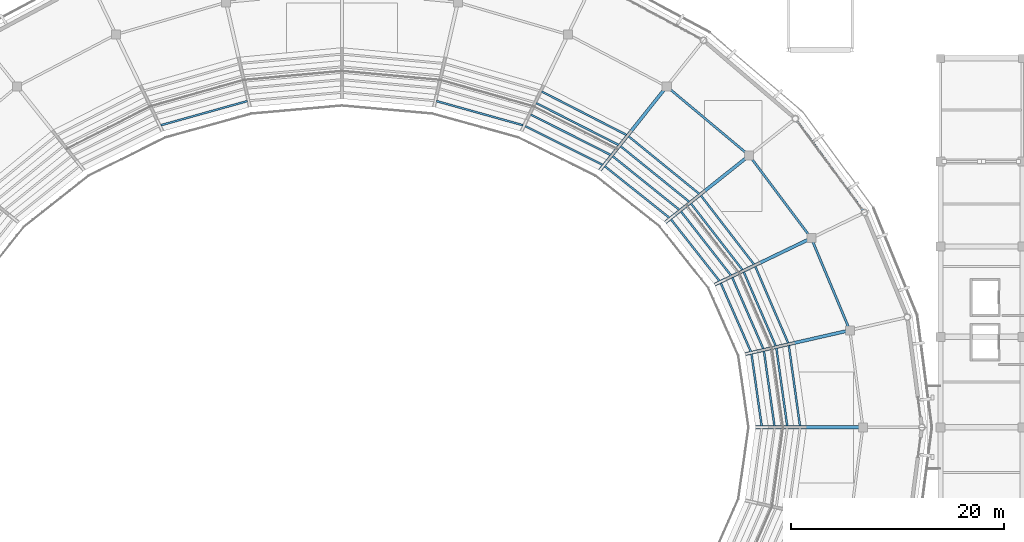
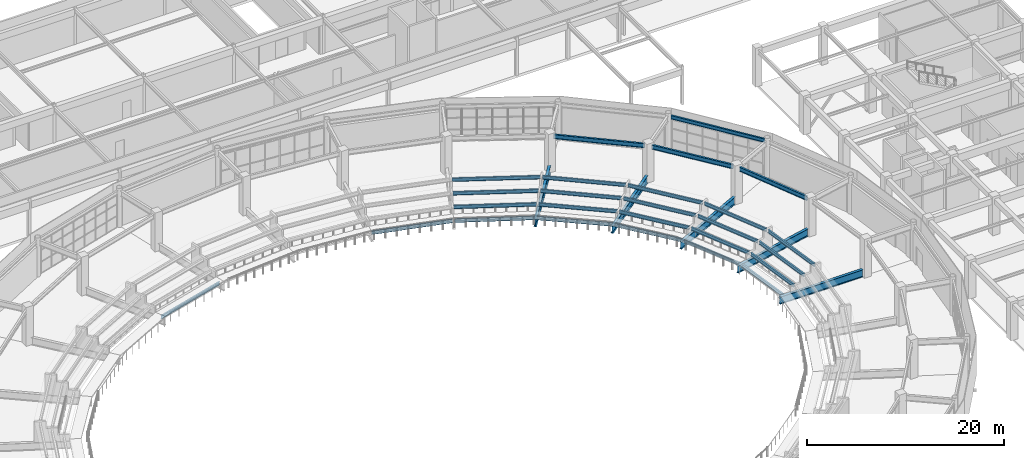
# One storey, part 55 of 122: 31 beams.
"""IFC4 building model written with IfcOpenShell, lengths in metres."""

from ifc_helpers import new_model, si_unit, direction, frame, origin, origin_2d, place, context, subcontext, project, spatial, i_section, extrude, material, material_profile, profile_set, type_object, element, save


model = new_model("IFC4")

# Units and contexts
model_context = context("Model", 3, precision=1e-05, world=origin(), true_north=direction((0.0, 1.0)))
body_context = subcontext(model_context, "Body", "Model", "MODEL_VIEW")
ifc_project = project(units=[si_unit("LENGTHUNIT", "METRE"), si_unit("AREAUNIT", "SQUARE_METRE"), si_unit("VOLUMEUNIT", "CUBIC_METRE"), si_unit("PLANEANGLEUNIT", "RADIAN"), si_unit("MASSUNIT", "GRAM", prefix="KILO")], contexts=[model_context])

# Site, building, storey
site_placement = place(None, origin())
site = spatial("IfcSite", under=ifc_project, at=site_placement, CompositionType="ELEMENT")
building_placement = place(site_placement, origin())
building = spatial("IfcBuilding", under=site, at=building_placement, Name="Cuetzalor Civic Arena", CompositionType="ELEMENT")
storey_placement = place(building_placement, frame((0.0, 0.0, 16.199951171875)))
storey = spatial("IfcBuildingStorey", under=building, at=storey_placement, Name="L03", CompositionType="ELEMENT", Elevation=16.199951171875)

# Beams
ifc_material_1 = material(Name="Steel S355", Category="steel")
ifc_material_profile_1 = material_profile(ifc_material_1, i_section(OverallWidth=0.18994140625, OverallDepth=0.45703125, WebThickness=0.009033203125, FlangeThickness=0.014404296875, at=origin_2d()), Name="W460x74")
ifc_profile_set_1 = profile_set([ifc_material_profile_1], Name="Steel S355")
beam_type_1 = type_object("IfcBeamType", Name="FacadeSpandrelBeam_W460", PredefinedType="SPANDREL", material=ifc_profile_set_1)
beam_1_placement = place(storey_placement, frame((48.975830078125, 20.430908203125, 4.29150390625), z_axis=(-0.592928645702, 0.805255003776, 0.0), x_axis=(-0.805255003776, -0.592928645702, 0.0)))
element("IfcBeam", 1, at=beam_1_placement, inside=storey, type_object=beam_type_1, Name="Drum Perimeter Spandrel L03-S03", PredefinedType="SPANDREL", context=body_context, shape_type="SweptSolid", body=[
    extrude(i_section(OverallWidth=0.18994140625, OverallDepth=0.45703125, WebThickness=0.009033203125, FlangeThickness=0.014404296875, at=origin_2d()), origin(), (0.0, 0.0, 1.0), 10.380615234375),
])
ifc_material_2 = material(Name="Steel S355", Category="steel")
ifc_material_profile_2 = material_profile(ifc_material_2, i_section(OverallWidth=0.208984375, OverallDepth=0.532958984375, WebThickness=0.01025390625, FlangeThickness=0.015625, at=origin_2d()), Name="W530x92")
ifc_profile_set_2 = profile_set([ifc_material_profile_2], Name="Steel S355")
beam_type_2 = type_object("IfcBeamType", Name="SteelCollarGirder_W530", PredefinedType="BEAM", material=ifc_profile_set_2)
beam_2_placement = place(storey_placement, frame((47.628662109375, 9.46484375, 4.253662109375), z_axis=(-0.385813116722, 0.922576955579, 0.0), x_axis=(-0.922576955579, -0.385813116722, 0.0)))
element("IfcBeam", 2, at=beam_2_placement, inside=storey, type_object=beam_type_2, Name="Drum Concourse Ring Girder L03-S02", PredefinedType="BEAM", context=body_context, shape_type="SweptSolid", body=[
    extrude(i_section(OverallWidth=0.208984375, OverallDepth=0.532958984375, WebThickness=0.01025390625, FlangeThickness=0.015625, at=origin_2d()), origin(), (0.0, 0.0, 1.0), 8.65283203125),
])
beam_3_placement = place(storey_placement, frame((43.92529296875, 18.085205078125, 4.253662109375), z_axis=(-0.600491348624, 0.799631252658, 0.0), x_axis=(-0.799631252658, -0.600491348624, 0.0)))
element("IfcBeam", 3, at=beam_3_placement, inside=storey, type_object=beam_type_2, Name="Drum Concourse Ring Girder L03-S03", PredefinedType="BEAM", context=body_context, shape_type="SweptSolid", body=[
    extrude(i_section(OverallWidth=0.208984375, OverallDepth=0.532958984375, WebThickness=0.01025390625, FlangeThickness=0.015625, at=origin_2d()), origin(), (0.0, 0.0, 1.0), 8.9814453125),
])
beam_4_placement = place(storey_placement, frame((38.02587890625, 25.800537109375, 4.253662109375), z_axis=(-0.766937066427, 0.641722320121, 0.0), x_axis=(-0.641722320121, -0.766937066427, 0.0)))
element("IfcBeam", 4, at=beam_4_placement, inside=storey, type_object=beam_type_2, Name="Drum Concourse Ring Girder L03-S04", PredefinedType="BEAM", context=body_context, shape_type="SweptSolid", body=[
    extrude(i_section(OverallWidth=0.208984375, OverallDepth=0.532958984375, WebThickness=0.01025390625, FlangeThickness=0.015625, at=origin_2d()), origin(), (0.0, 0.0, 1.0), 9.37646484375),
])
ifc_material_3 = material(Name="Steel S355", Category="steel")
ifc_material_profile_3 = material_profile(ifc_material_3, i_section(OverallWidth=0.177978515625, OverallDepth=0.406982421875, WebThickness=0.0078125, FlangeThickness=0.0126953125, at=origin_2d()), Name="W410x60")
ifc_profile_set_3 = profile_set([ifc_material_profile_3], Name="Steel S355")
beam_type_3 = type_object("IfcBeamType", Name="SteelSecondaryBeam_W410", PredefinedType="BEAM", material=ifc_profile_set_3)
beam_5_placement = place(storey_placement, frame((39.48486328125, 0.10693359375, 0.70751953125), z_axis=(-0.139872342407, 0.990169544992, 0.0), x_axis=(-0.990169544992, -0.139872342407, 0.0)))
element("IfcBeam", 5, at=beam_5_placement, inside=storey, type_object=beam_type_3, Name="Upper Bowl Tier Carrier Beam S01-R1", PredefinedType="BEAM", context=body_context, shape_type="SweptSolid", body=[
    extrude(i_section(OverallWidth=0.177978515625, OverallDepth=0.406982421875, WebThickness=0.0078125, FlangeThickness=0.0126953125, at=origin_2d()), origin(), (0.0, 0.0, 1.0), 6.863037109375),
])
beam_6_placement = place(storey_placement, frame((40.68505859375, 0.10693359375, 1.551513671875), z_axis=(-0.138885554946, 0.990308438128, 0.0), x_axis=(-0.990308438128, -0.138885554946, 0.0)))
element("IfcBeam", 6, at=beam_6_placement, inside=storey, type_object=beam_type_3, Name="Upper Bowl Tier Carrier Beam S01-R2", PredefinedType="BEAM", context=body_context, shape_type="SweptSolid", body=[
    extrude(i_section(OverallWidth=0.177978515625, OverallDepth=0.406982421875, WebThickness=0.0078125, FlangeThickness=0.0126953125, at=origin_2d()), origin(), (0.0, 0.0, 1.0), 7.131591796875),
])
beam_7_placement = place(storey_placement, frame((41.885009765625, 0.10693359375, 2.401611328125), z_axis=(-0.137901017398, 0.990446015389, 0.0), x_axis=(-0.990446015389, -0.137901017398, 0.0)))
element("IfcBeam", 7, at=beam_7_placement, inside=storey, type_object=beam_type_3, Name="Upper Bowl Tier Carrier Beam S01-R3", PredefinedType="BEAM", context=body_context, shape_type="SweptSolid", body=[
    extrude(i_section(OverallWidth=0.177978515625, OverallDepth=0.406982421875, WebThickness=0.0078125, FlangeThickness=0.0126953125, at=origin_2d()), origin(), (0.0, 0.0, 1.0), 7.400390625),
])
beam_8_placement = place(storey_placement, frame((43.085205078125, 0.10693359375, 3.25146484375), z_axis=(-0.13704781732, 0.990564432921, 0.0), x_axis=(-0.990564432921, -0.13704781732, 0.0)))
element("IfcBeam", 8, at=beam_8_placement, inside=storey, type_object=beam_type_3, Name="Upper Bowl Tier Carrier Beam S01-R4", PredefinedType="BEAM", context=body_context, shape_type="SweptSolid", body=[
    extrude(i_section(OverallWidth=0.177978515625, OverallDepth=0.406982421875, WebThickness=0.0078125, FlangeThickness=0.0126953125, at=origin_2d()), origin(), (0.0, 0.0, 1.0), 7.6689453125),
])
beam_9_placement = place(storey_placement, frame((38.46630859375, 7.1083984375, 0.70751953125), z_axis=(-0.401827995853, 0.915715164092, 0.0), x_axis=(-0.915715164092, -0.401827995853, 0.0)))
element("IfcBeam", 9, at=beam_9_placement, inside=storey, type_object=beam_type_3, Name="Upper Bowl Tier Carrier Beam S02-R1", PredefinedType="BEAM", context=body_context, shape_type="SweptSolid", body=[
    extrude(i_section(OverallWidth=0.177978515625, OverallDepth=0.406982421875, WebThickness=0.0078125, FlangeThickness=0.0126953125, at=origin_2d()), origin(), (0.0, 0.0, 1.0), 7.054443359375),
])
beam_10_placement = place(storey_placement, frame((39.636474609375, 7.37548828125, 1.551513671875), z_axis=(-0.399312420553, 0.916814916323, 0.0), x_axis=(-0.916814916323, -0.399312420553, 0.0)))
element("IfcBeam", 10, at=beam_10_placement, inside=storey, type_object=beam_type_3, Name="Upper Bowl Tier Carrier Beam S02-R2", PredefinedType="BEAM", context=body_context, shape_type="SweptSolid", body=[
    extrude(i_section(OverallWidth=0.177978515625, OverallDepth=0.406982421875, WebThickness=0.0078125, FlangeThickness=0.0126953125, at=origin_2d()), origin(), (0.0, 0.0, 1.0), 7.32275390625),
])
beam_11_placement = place(storey_placement, frame((40.806640625, 7.642578125, 2.401611328125), z_axis=(-0.396956554552, 0.917837400523, 0.0), x_axis=(-0.917837400523, -0.396956554552, 0.0)))
element("IfcBeam", 11, at=beam_11_placement, inside=storey, type_object=beam_type_3, Name="Upper Bowl Tier Carrier Beam S02-R3", PredefinedType="BEAM", context=body_context, shape_type="SweptSolid", body=[
    extrude(i_section(OverallWidth=0.177978515625, OverallDepth=0.406982421875, WebThickness=0.0078125, FlangeThickness=0.0126953125, at=origin_2d()), origin(), (0.0, 0.0, 1.0), 7.5908203125),
])
beam_12_placement = place(storey_placement, frame((41.976806640625, 7.90966796875, 3.25146484375), z_axis=(-0.394758994464, 0.918784706169, 0.0), x_axis=(-0.918784706169, -0.394758994464, 0.0)))
element("IfcBeam", 12, at=beam_12_placement, inside=storey, type_object=beam_type_3, Name="Upper Bowl Tier Carrier Beam S02-R4", PredefinedType="BEAM", context=body_context, shape_type="SweptSolid", body=[
    extrude(i_section(OverallWidth=0.177978515625, OverallDepth=0.406982421875, WebThickness=0.0078125, FlangeThickness=0.0126953125, at=origin_2d()), origin(), (0.0, 0.0, 1.0), 7.858642578125),
])
beam_13_placement = place(storey_placement, frame((35.521484375, 13.752197265625, 0.70751953125), z_axis=(-0.618890762306, 0.785477067986, 0.0), x_axis=(-0.785477067986, -0.618890762306, 0.0)))
element("IfcBeam", 13, at=beam_13_placement, inside=storey, type_object=beam_type_3, Name="Upper Bowl Tier Carrier Beam S03-R1", PredefinedType="BEAM", context=body_context, shape_type="SweptSolid", body=[
    extrude(i_section(OverallWidth=0.177978515625, OverallDepth=0.406982421875, WebThickness=0.0078125, FlangeThickness=0.0126953125, at=origin_2d()), origin(), (0.0, 0.0, 1.0), 7.387939453125),
])
beam_14_placement = place(storey_placement, frame((36.602783203125, 14.273193359375, 1.551513671875), z_axis=(-0.61605368018, 0.787704172349, 0.0), x_axis=(-0.787704172349, -0.61605368018, 0.0)))
element("IfcBeam", 14, at=beam_14_placement, inside=storey, type_object=beam_type_3, Name="Upper Bowl Tier Carrier Beam S03-R2", PredefinedType="BEAM", context=body_context, shape_type="SweptSolid", body=[
    extrude(i_section(OverallWidth=0.177978515625, OverallDepth=0.406982421875, WebThickness=0.0078125, FlangeThickness=0.0126953125, at=origin_2d()), origin(), (0.0, 0.0, 1.0), 7.65478515625),
])
beam_15_placement = place(storey_placement, frame((37.684326171875, 14.7939453125, 2.401611328125), z_axis=(-0.613370823241, 0.789795057719, 0.0), x_axis=(-0.789795057719, -0.613370823241, 0.0)))
element("IfcBeam", 15, at=beam_15_placement, inside=storey, type_object=beam_type_3, Name="Upper Bowl Tier Carrier Beam S03-R3", PredefinedType="BEAM", context=body_context, shape_type="SweptSolid", body=[
    extrude(i_section(OverallWidth=0.177978515625, OverallDepth=0.406982421875, WebThickness=0.0078125, FlangeThickness=0.0126953125, at=origin_2d()), origin(), (0.0, 0.0, 1.0), 7.92236328125),
])
beam_16_placement = place(storey_placement, frame((38.765869140625, 15.314697265625, 3.25146484375), z_axis=(-0.610856847656, 0.791741063525, 0.0), x_axis=(-0.791741063525, -0.610856847656, 0.0)))
element("IfcBeam", 16, at=beam_16_placement, inside=storey, type_object=beam_type_3, Name="Upper Bowl Tier Carrier Beam S03-R4", PredefinedType="BEAM", context=body_context, shape_type="SweptSolid", body=[
    extrude(i_section(OverallWidth=0.177978515625, OverallDepth=0.406982421875, WebThickness=0.0078125, FlangeThickness=0.0126953125, at=origin_2d()), origin(), (0.0, 0.0, 1.0), 8.18994140625),
])
beam_17_placement = place(storey_placement, frame((30.7978515625, 19.707275390625, 0.70751953125), z_axis=(-0.781840949044, 0.623477930963, 0.0), x_axis=(-0.623477930963, -0.781840949044, 0.0)))
element("IfcBeam", 17, at=beam_17_placement, inside=storey, type_object=beam_type_3, Name="Upper Bowl Tier Carrier Beam S04-R1", PredefinedType="BEAM", context=body_context, shape_type="SweptSolid", body=[
    extrude(i_section(OverallWidth=0.177978515625, OverallDepth=0.406982421875, WebThickness=0.0078125, FlangeThickness=0.0126953125, at=origin_2d()), origin(), (0.0, 0.0, 1.0), 7.78369140625),
])
beam_18_placement = place(storey_placement, frame((31.736328125, 20.455810546875, 1.551513671875), z_axis=(-0.779559434409, 0.626328259162, 0.0), x_axis=(-0.626328259162, -0.779559434409, 0.0)))
element("IfcBeam", 18, at=beam_18_placement, inside=storey, type_object=beam_type_3, Name="Upper Bowl Tier Carrier Beam S04-R2", PredefinedType="BEAM", context=body_context, shape_type="SweptSolid", body=[
    extrude(i_section(OverallWidth=0.177978515625, OverallDepth=0.406982421875, WebThickness=0.0078125, FlangeThickness=0.0126953125, at=origin_2d()), origin(), (0.0, 0.0, 1.0), 8.05078125),
])
beam_19_placement = place(storey_placement, frame((32.6748046875, 21.2041015625, 2.401611328125), z_axis=(-0.777400684757, 0.629005703742, 0.0), x_axis=(-0.629005703742, -0.777400684757, 0.0)))
element("IfcBeam", 19, at=beam_19_placement, inside=storey, type_object=beam_type_3, Name="Upper Bowl Tier Carrier Beam S04-R3", PredefinedType="BEAM", context=body_context, shape_type="SweptSolid", body=[
    extrude(i_section(OverallWidth=0.177978515625, OverallDepth=0.406982421875, WebThickness=0.0078125, FlangeThickness=0.0126953125, at=origin_2d()), origin(), (0.0, 0.0, 1.0), 8.318115234375),
])
beam_20_placement = place(storey_placement, frame((33.61328125, 21.95263671875, 3.25146484375), z_axis=(-0.775407216872, 0.631461517452, 0.0), x_axis=(-0.631461517452, -0.775407216872, 0.0)))
element("IfcBeam", 20, at=beam_20_placement, inside=storey, type_object=beam_type_3, Name="Upper Bowl Tier Carrier Beam S04-R4", PredefinedType="BEAM", context=body_context, shape_type="SweptSolid", body=[
    extrude(i_section(OverallWidth=0.177978515625, OverallDepth=0.406982421875, WebThickness=0.0078125, FlangeThickness=0.0126953125, at=origin_2d()), origin(), (0.0, 0.0, 1.0), 8.58544921875),
])
beam_21_placement = place(storey_placement, frame((24.53125, 24.676025390625, 0.70751953125), z_axis=(-0.894037945543, 0.447991240907, 0.0), x_axis=(-0.447991240907, -0.894037945543, 0.0)))
element("IfcBeam", 21, at=beam_21_placement, inside=storey, type_object=beam_type_3, Name="Upper Bowl Tier Carrier Beam S05-R1", PredefinedType="BEAM", context=body_context, shape_type="SweptSolid", body=[
    extrude(i_section(OverallWidth=0.177978515625, OverallDepth=0.406982421875, WebThickness=0.0078125, FlangeThickness=0.0126953125, at=origin_2d()), origin(), (0.0, 0.0, 1.0), 8.160888671875),
])
beam_22_placement = place(storey_placement, frame((25.279541015625, 25.614501953125, 1.551513671875), z_axis=(-0.892682460689, 0.45068617061, 0.0), x_axis=(-0.45068617061, -0.892682460689, 0.0)))
element("IfcBeam", 22, at=beam_22_placement, inside=storey, type_object=beam_type_3, Name="Upper Bowl Tier Carrier Beam S05-R2", PredefinedType="BEAM", context=body_context, shape_type="SweptSolid", body=[
    extrude(i_section(OverallWidth=0.177978515625, OverallDepth=0.406982421875, WebThickness=0.0078125, FlangeThickness=0.0126953125, at=origin_2d()), origin(), (0.0, 0.0, 1.0), 8.428466796875),
])
beam_23_placement = place(storey_placement, frame((26.02783203125, 26.552978515625, 2.401611328125), z_axis=(-0.891420116487, 0.453177863452, 0.0), x_axis=(-0.453177863452, -0.891420116487, 0.0)))
element("IfcBeam", 23, at=beam_23_placement, inside=storey, type_object=beam_type_3, Name="Upper Bowl Tier Carrier Beam S05-R3", PredefinedType="BEAM", context=body_context, shape_type="SweptSolid", body=[
    extrude(i_section(OverallWidth=0.177978515625, OverallDepth=0.406982421875, WebThickness=0.0078125, FlangeThickness=0.0126953125, at=origin_2d()), origin(), (0.0, 0.0, 1.0), 8.6962890625),
])
beam_24_placement = place(storey_placement, frame((26.7763671875, 27.491455078125, 3.25146484375), z_axis=(-0.890226845058, 0.455517468751, 0.0), x_axis=(-0.455517468751, -0.890226845058, 0.0)))
element("IfcBeam", 24, at=beam_24_placement, inside=storey, type_object=beam_type_3, Name="Upper Bowl Tier Carrier Beam S05-R4", PredefinedType="BEAM", context=body_context, shape_type="SweptSolid", body=[
    extrude(i_section(OverallWidth=0.177978515625, OverallDepth=0.406982421875, WebThickness=0.0078125, FlangeThickness=0.0126953125, at=origin_2d()), origin(), (0.0, 0.0, 1.0), 8.9638671875),
])
for number, where, z_axis, x_axis, name in (
    (25, (17.034423828125, 28.409423828125, 0.70751953125), (-0.963200649312, 0.26878338707, 0.0), (-0.26878338707, -0.963200649312, 0.0), "Upper Bowl Tier Carrier Beam S06-R1"),
    (26, (-8.8935546875, 30.68115234375, 0.70751953125), (-0.963200649312, -0.26878338707, 0.0), (0.26878338707, -0.963200649312, 0.0), "Upper Bowl Tier Carrier Beam S09-R1"),
):
    element("IfcBeam", number, at=place(storey_placement, frame(where, z_axis=z_axis, x_axis=x_axis)), inside=storey, type_object=beam_type_3, Name=name, PredefinedType="BEAM", context=body_context, shape_type="SweptSolid", body=[
        extrude(i_section(OverallWidth=0.177978515625, OverallDepth=0.406982421875, WebThickness=0.0078125, FlangeThickness=0.0126953125, at=origin_2d()), origin(), (0.0, 0.0, 1.0), 8.451904296875),
    ])
ifc_material_4 = material(Name="Steel S355", Category="steel")
ifc_material_profile_4 = material_profile(ifc_material_4, i_section(OverallWidth=0.303955078125, OverallDepth=0.910888671875, WebThickness=0.015869140625, FlangeThickness=0.02392578125, at=origin_2d()), Name="W920x223")
ifc_profile_set_4 = profile_set([ifc_material_profile_4], Name="Steel S355")
beam_type_4 = type_object("IfcBeamType", Name="UpperBowlRakerBeam_W840", PredefinedType="USERDEFINED", material=ifc_profile_set_4)
beam_25_placement = place(storey_placement, frame((38.89990234375, 0.0, 0.45556640625), z_axis=(1.0, 0.0, 0.0), x_axis=(0.0, 1.0, 0.0)))
element("IfcBeam", 27, at=beam_25_placement, inside=storey, type_object=beam_type_4, Name="Upper Bowl Raker Beam R01", ObjectType="RAKER", PredefinedType="USERDEFINED", context=body_context, shape_type="SweptSolid", body=[
    extrude(i_section(OverallWidth=0.303955078125, OverallDepth=0.910888671875, WebThickness=0.015869140625, FlangeThickness=0.02392578125, at=origin_2d()), origin(), (0.0, 0.0, 1.0), 9.72021484375),
])
beam_26_placement = place(storey_placement, frame((37.9248046875, 6.8759765625, 0.45556640625), z_axis=(0.974928142216, 0.222519926106, 0.0), x_axis=(-0.222519926106, 0.974928142216, 0.0)))
element("IfcBeam", 28, at=beam_26_placement, inside=storey, type_object=beam_type_4, Name="Upper Bowl Raker Beam R02", ObjectType="RAKER", PredefinedType="USERDEFINED", context=body_context, shape_type="SweptSolid", body=[
    extrude(i_section(OverallWidth=0.303955078125, OverallDepth=0.910888671875, WebThickness=0.015869140625, FlangeThickness=0.02392578125, at=origin_2d()), origin(), (0.0, 0.0, 1.0), 9.7197265625),
])
for number, where, z_axis, x_axis, name in (
    (29, (35.047607421875, 13.406982421875, 0.45556640625), (0.900974397219, 0.433872257187, 0.0), (-0.433872257187, 0.900974397219, 0.0), "Upper Bowl Raker Beam R03"),
    (30, (30.4130859375, 19.265869140625, 0.45556640625), (0.781840685283, 0.623478261719, 0.0), (-0.623478261719, 0.781840685283, 0.0), "Upper Bowl Raker Beam R04"),
):
    element("IfcBeam", number, at=place(storey_placement, frame(where, z_axis=z_axis, x_axis=x_axis)), inside=storey, type_object=beam_type_4, Name=name, ObjectType="RAKER", PredefinedType="USERDEFINED", context=body_context, shape_type="SweptSolid", body=[
        extrude(i_section(OverallWidth=0.303955078125, OverallDepth=0.910888671875, WebThickness=0.015869140625, FlangeThickness=0.02392578125, at=origin_2d()), origin(), (0.0, 0.0, 1.0), 9.72021484375),
    ])
beam_27_placement = place(storey_placement, frame((24.25390625, 24.15869140625, 0.45556640625), z_axis=(0.623490505412, 0.781830921402, 0.0), x_axis=(-0.781830921402, 0.623490505412, 0.0)))
element("IfcBeam", 31, at=beam_27_placement, inside=storey, type_object=beam_type_4, Name="Upper Bowl Raker Beam R05", ObjectType="RAKER", PredefinedType="USERDEFINED", context=body_context, shape_type="SweptSolid", body=[
    extrude(i_section(OverallWidth=0.303955078125, OverallDepth=0.910888671875, WebThickness=0.015869140625, FlangeThickness=0.02392578125, at=origin_2d()), origin(), (0.0, 0.0, 1.0), 9.719970703125),
])

save(model, "model.ifc")
